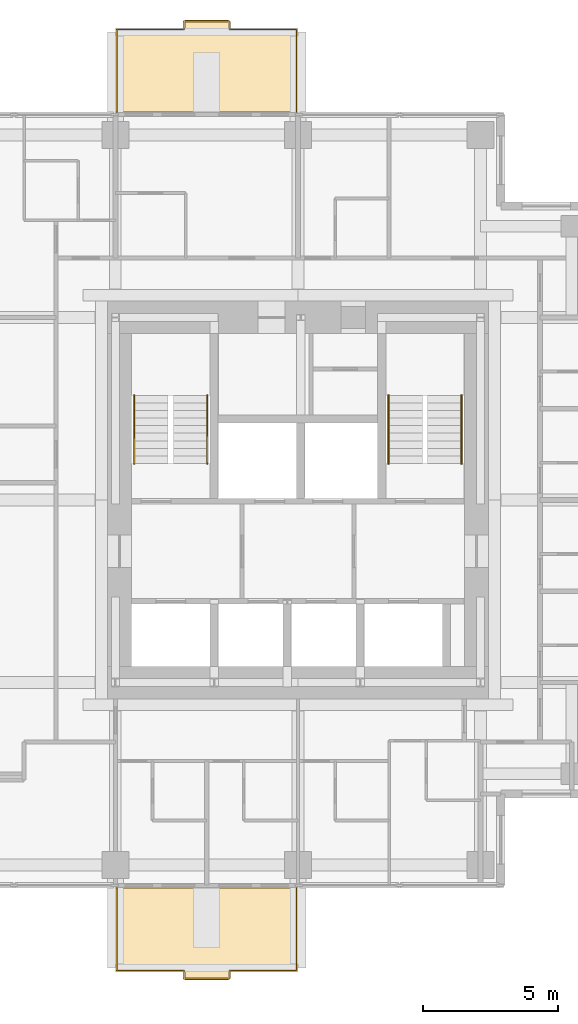
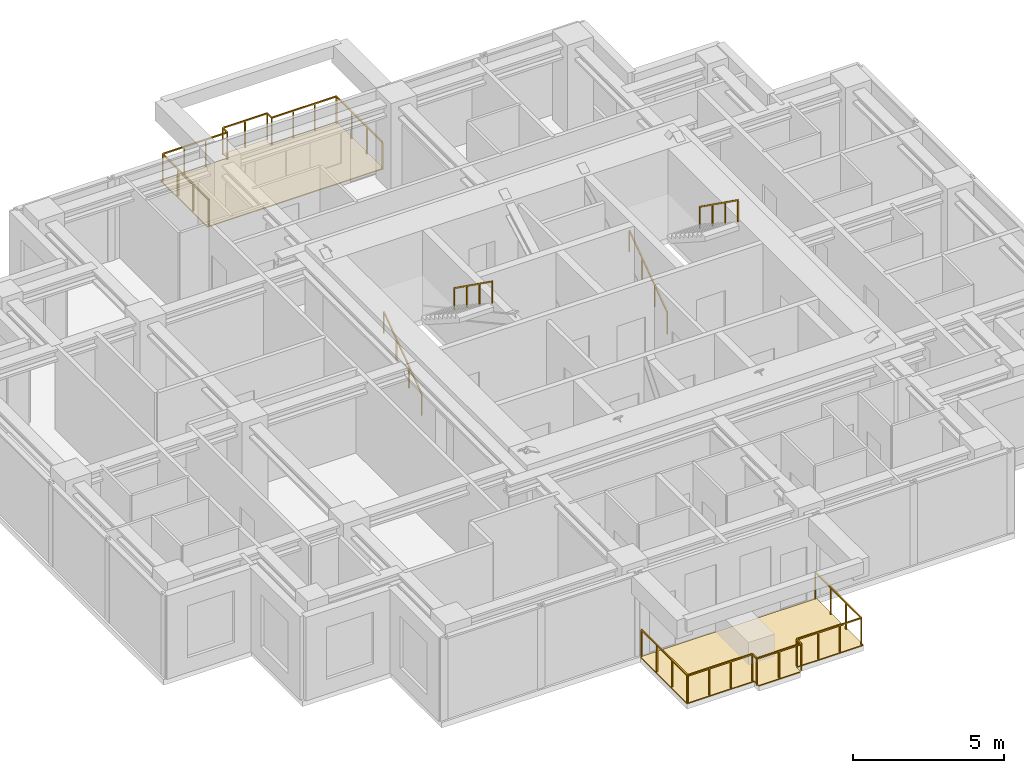
# One storey, part 8 of 8: 6 railings, 2 coverings.
"""IFC4 building model written with IfcOpenShell, lengths in metres."""

from ifc_helpers import new_model, si_unit, direction, frame, origin, origin_2d, place, context, subcontext, project, spatial, polyline, rectangle, outline, extrude, material, layer, layer_set, type_object, element, save


model = new_model("IFC4")

# Units and contexts
model_context = context("Model", 3, precision=1e-05, world=origin(), true_north=direction((0.0, 1.0)))
body_context = subcontext(model_context, "Body", "Model", "MODEL_VIEW")
ifc_project = project(units=[si_unit("LENGTHUNIT", "METRE"), si_unit("AREAUNIT", "SQUARE_METRE"), si_unit("VOLUMEUNIT", "CUBIC_METRE"), si_unit("PLANEANGLEUNIT", "RADIAN"), si_unit("MASSUNIT", "GRAM", prefix="KILO")], contexts=[model_context])

# Site, building, storey
site_placement = place(None, origin())
site = spatial("IfcSite", under=ifc_project, at=site_placement, CompositionType="ELEMENT")
building_placement = place(site_placement, origin())
building = spatial("IfcBuilding", under=site, at=building_placement, Name="Nyansa Garden Tower", CompositionType="ELEMENT")
storey_placement = place(building_placement, frame((0.0, 0.0, 247.5)))
storey = spatial("IfcBuildingStorey", under=building, at=storey_placement, Name="L67", CompositionType="ELEMENT", Elevation=247.5)

# Coverings
ifc_material_1 = material(Name="Hardwood decking on pedestals", Category="wood")
ifc_layer = layer(ifc_material_1, 0.0400390625)
ifc_layer_set = layer_set([ifc_layer], Name="Balcony decking DK40")
covering_type = type_object("IfcCoveringType", Name="Balcony decking DK40", PredefinedType="FLOORING", material=ifc_layer_set)
covering_1_placement = place(storey_placement, frame((0.0, 0.0, -0.0400390625)))
element("IfcCovering", 1, at=covering_1_placement, inside=storey, type_object=covering_type, Name="Balcony decking L67", PredefinedType="FLOORING", context=body_context, shape_type="SweptSolid", body=[
    extrude(outline(polyline([(13.5, 5.89990234375), (20.25, 5.89990234375), (20.25, 2.800048828125), (17.675048828125, 2.800048828125), (17.675048828125, 2.5), (16.074951171875, 2.5), (16.074951171875, 2.800048828125), (13.5, 2.800048828125), (13.5, 5.89990234375)])), origin(), (0.0, 0.0, 1.0), 0.0400390625),
])
covering_2_placement = place(storey_placement, frame((0.0, 0.0, -0.0400390625)))
element("IfcCovering", 2, at=covering_2_placement, inside=storey, type_object=covering_type, Name="Balcony decking L67", PredefinedType="FLOORING", context=body_context, shape_type="SweptSolid", body=[
    extrude(outline(polyline([(13.5, 34.60009765625), (20.25, 34.60009765625), (20.25, 37.699951171875), (17.675048828125, 37.699951171875), (17.675048828125, 38.0), (16.074951171875, 38.0), (16.074951171875, 37.699951171875), (13.5, 37.699951171875), (13.5, 34.60009765625)])), origin(), (0.0, 0.0, 1.0), 0.0400390625),
])

# Railings
ifc_material_2 = material(Name="Black powder-coated steel balusters, laminated glass infill", Category="steel")
railing_type_1 = type_object("IfcRailingType", Name="Balcony guard G1", PredefinedType="GUARDRAIL", material=ifc_material_2)
railing_1_placement = place(storey_placement, frame((13.550048828125, 5.89990234375, 0.0)))
element("IfcRailing", 3, at=railing_1_placement, inside=storey, type_object=railing_type_1, Name="Balcony guard L67", PredefinedType="GUARDRAIL", context=body_context, shape_type="SweptSolid", body=[
    extrude(rectangle(XDim=0.048095703125, YDim=0.048095703125, at=origin_2d()), frame((0.0, 0.0, 1.076171875), z_axis=(0.0, -1.0, 0.0), x_axis=(1.0, 0.0, 0.0)), (0.0, 0.0, 1.0), 3.0498046875),
    extrude(rectangle(XDim=0.048095703125, YDim=0.048095703125, at=origin_2d()), frame((0.0, -3.0498046875, 1.076171875), z_axis=(1.0, 0.0, 0.0), x_axis=(0.0, 1.0, 0.0)), (0.0, 0.0, 1.0), 2.474853515625),
    extrude(rectangle(XDim=0.048095703125, YDim=0.048095703125, at=origin_2d()), frame((2.474853515625, -3.0498046875, 1.076171875), z_axis=(0.0, -1.0, 0.0), x_axis=(1.0, 0.0, 0.0)), (0.0, 0.0, 1.0), 0.300048828125),
    extrude(rectangle(XDim=0.048095703125, YDim=0.048095703125, at=origin_2d()), frame((2.474853515625, -3.349853515625, 1.076171875), z_axis=(1.0, 0.0, 0.0), x_axis=(0.0, 1.0, 0.0)), (0.0, 0.0, 1.0), 1.7001953125),
    extrude(rectangle(XDim=0.048095703125, YDim=0.048095703125, at=origin_2d()), frame((4.175048828125, -3.349853515625, 1.076171875), z_axis=(0.0, 1.0, 0.0), x_axis=(-1.0, 0.0, 0.0)), (0.0, 0.0, 1.0), 0.300048828125),
    extrude(rectangle(XDim=0.048095703125, YDim=0.048095703125, at=origin_2d()), frame((4.175048828125, -3.0498046875, 1.076171875), z_axis=(1.0, 0.0, 0.0), x_axis=(0.0, 1.0, 0.0)), (0.0, 0.0, 1.0), 2.474853515625),
    extrude(rectangle(XDim=0.048095703125, YDim=0.048095703125, at=origin_2d()), frame((6.64990234375, -3.0498046875, 1.076171875), z_axis=(0.0, 1.0, 0.0), x_axis=(-1.0, 0.0, 0.0)), (0.0, 0.0, 1.0), 3.0498046875),
    extrude(rectangle(XDim=0.0419921875, YDim=0.0419921875, at=origin_2d()), origin(), (0.0, 0.0, 1.0), 1.052001953125),
    extrude(rectangle(XDim=0.0419921875, YDim=0.0419921875, at=origin_2d()), frame((0.0, -1.0166015625, 0.0)), (0.0, 0.0, 1.0), 1.052001953125),
    extrude(rectangle(XDim=0.0419921875, YDim=0.0419921875, at=origin_2d()), frame((0.0, -2.033203125, 0.0)), (0.0, 0.0, 1.0), 1.052001953125),
    extrude(rectangle(XDim=0.0419921875, YDim=0.0419921875, at=origin_2d()), frame((0.0, -3.0498046875, 0.0)), (0.0, 0.0, 1.0), 1.052001953125),
    extrude(rectangle(XDim=0.0419921875, YDim=0.0419921875, at=origin_2d()), frame((0.824951171875, -3.0498046875, 0.0)), (0.0, 0.0, 1.0), 1.052001953125),
    extrude(rectangle(XDim=0.0419921875, YDim=0.0419921875, at=origin_2d()), frame((1.64990234375, -3.0498046875, 0.0)), (0.0, 0.0, 1.0), 1.052001953125),
    extrude(rectangle(XDim=0.0419921875, YDim=0.0419921875, at=origin_2d()), frame((2.474853515625, -3.0498046875, 0.0)), (0.0, 0.0, 1.0), 1.052001953125),
    extrude(rectangle(XDim=0.0419921875, YDim=0.0419921875, at=origin_2d()), frame((2.474853515625, -3.349853515625, 0.0)), (0.0, 0.0, 1.0), 1.052001953125),
    extrude(rectangle(XDim=0.0419921875, YDim=0.0419921875, at=origin_2d()), frame((3.324951171875, -3.349853515625, 0.0)), (0.0, 0.0, 1.0), 1.052001953125),
    extrude(rectangle(XDim=0.0419921875, YDim=0.0419921875, at=origin_2d()), frame((4.175048828125, -3.349853515625, 0.0)), (0.0, 0.0, 1.0), 1.052001953125),
    extrude(rectangle(XDim=0.0419921875, YDim=0.0419921875, at=origin_2d()), frame((4.175048828125, -3.0498046875, 0.0)), (0.0, 0.0, 1.0), 1.052001953125),
    extrude(rectangle(XDim=0.0419921875, YDim=0.0419921875, at=origin_2d()), frame((5.0, -3.0498046875, 0.0)), (0.0, 0.0, 1.0), 1.052001953125),
    extrude(rectangle(XDim=0.0419921875, YDim=0.0419921875, at=origin_2d()), frame((5.824951171875, -3.0498046875, 0.0)), (0.0, 0.0, 1.0), 1.052001953125),
    extrude(rectangle(XDim=0.0419921875, YDim=0.0419921875, at=origin_2d()), frame((6.64990234375, -3.0498046875, 0.0)), (0.0, 0.0, 1.0), 1.052001953125),
    extrude(rectangle(XDim=0.0419921875, YDim=0.0419921875, at=origin_2d()), frame((6.64990234375, -2.033203125, 0.0)), (0.0, 0.0, 1.0), 1.052001953125),
    extrude(rectangle(XDim=0.0419921875, YDim=0.0419921875, at=origin_2d()), frame((6.64990234375, -1.0166015625, 0.0)), (0.0, 0.0, 1.0), 1.052001953125),
    extrude(rectangle(XDim=0.0419921875, YDim=0.0419921875, at=origin_2d()), frame((6.64990234375, 0.0, 0.0)), (0.0, 0.0, 1.0), 1.052001953125),
])
railing_2_placement = place(storey_placement, frame((13.550048828125, 34.60009765625, 0.0)))
element("IfcRailing", 4, at=railing_2_placement, inside=storey, type_object=railing_type_1, Name="Balcony guard L67", PredefinedType="GUARDRAIL", context=body_context, shape_type="SweptSolid", body=[
    extrude(rectangle(XDim=0.048095703125, YDim=0.048095703125, at=origin_2d()), frame((0.0, 0.0, 1.076171875), z_axis=(0.0, 1.0, 0.0), x_axis=(-1.0, 0.0, 0.0)), (0.0, 0.0, 1.0), 3.0498046875),
    extrude(rectangle(XDim=0.048095703125, YDim=0.048095703125, at=origin_2d()), frame((0.0, 3.0498046875, 1.076171875), z_axis=(1.0, 0.0, 0.0), x_axis=(0.0, 1.0, 0.0)), (0.0, 0.0, 1.0), 2.474853515625),
    extrude(rectangle(XDim=0.048095703125, YDim=0.048095703125, at=origin_2d()), frame((2.474853515625, 3.0498046875, 1.076171875), z_axis=(0.0, 1.0, 0.0), x_axis=(-1.0, 0.0, 0.0)), (0.0, 0.0, 1.0), 0.300048828125),
    extrude(rectangle(XDim=0.048095703125, YDim=0.048095703125, at=origin_2d()), frame((2.474853515625, 3.349853515625, 1.076171875), z_axis=(1.0, 0.0, 0.0), x_axis=(0.0, 1.0, 0.0)), (0.0, 0.0, 1.0), 1.7001953125),
    extrude(rectangle(XDim=0.048095703125, YDim=0.048095703125, at=origin_2d()), frame((4.175048828125, 3.349853515625, 1.076171875), z_axis=(0.0, -1.0, 0.0), x_axis=(1.0, 0.0, 0.0)), (0.0, 0.0, 1.0), 0.300048828125),
    extrude(rectangle(XDim=0.048095703125, YDim=0.048095703125, at=origin_2d()), frame((4.175048828125, 3.0498046875, 1.076171875), z_axis=(1.0, 0.0, 0.0), x_axis=(0.0, 1.0, 0.0)), (0.0, 0.0, 1.0), 2.474853515625),
    extrude(rectangle(XDim=0.048095703125, YDim=0.048095703125, at=origin_2d()), frame((6.64990234375, 3.0498046875, 1.076171875), z_axis=(0.0, -1.0, 0.0), x_axis=(1.0, 0.0, 0.0)), (0.0, 0.0, 1.0), 3.0498046875),
    extrude(rectangle(XDim=0.0419921875, YDim=0.0419921875, at=origin_2d()), origin(), (0.0, 0.0, 1.0), 1.052001953125),
    extrude(rectangle(XDim=0.0419921875, YDim=0.0419921875, at=origin_2d()), frame((0.0, 1.0166015625, 0.0)), (0.0, 0.0, 1.0), 1.052001953125),
    extrude(rectangle(XDim=0.0419921875, YDim=0.0419921875, at=origin_2d()), frame((0.0, 2.033203125, 0.0)), (0.0, 0.0, 1.0), 1.052001953125),
    extrude(rectangle(XDim=0.0419921875, YDim=0.0419921875, at=origin_2d()), frame((0.0, 3.0498046875, 0.0)), (0.0, 0.0, 1.0), 1.052001953125),
    extrude(rectangle(XDim=0.0419921875, YDim=0.0419921875, at=origin_2d()), frame((0.824951171875, 3.0498046875, 0.0)), (0.0, 0.0, 1.0), 1.052001953125),
    extrude(rectangle(XDim=0.0419921875, YDim=0.0419921875, at=origin_2d()), frame((1.64990234375, 3.0498046875, 0.0)), (0.0, 0.0, 1.0), 1.052001953125),
    extrude(rectangle(XDim=0.0419921875, YDim=0.0419921875, at=origin_2d()), frame((2.474853515625, 3.0498046875, 0.0)), (0.0, 0.0, 1.0), 1.052001953125),
    extrude(rectangle(XDim=0.0419921875, YDim=0.0419921875, at=origin_2d()), frame((2.474853515625, 3.349853515625, 0.0)), (0.0, 0.0, 1.0), 1.052001953125),
    extrude(rectangle(XDim=0.0419921875, YDim=0.0419921875, at=origin_2d()), frame((3.324951171875, 3.349853515625, 0.0)), (0.0, 0.0, 1.0), 1.052001953125),
    extrude(rectangle(XDim=0.0419921875, YDim=0.0419921875, at=origin_2d()), frame((4.175048828125, 3.349853515625, 0.0)), (0.0, 0.0, 1.0), 1.052001953125),
    extrude(rectangle(XDim=0.0419921875, YDim=0.0419921875, at=origin_2d()), frame((4.175048828125, 3.0498046875, 0.0)), (0.0, 0.0, 1.0), 1.052001953125),
    extrude(rectangle(XDim=0.0419921875, YDim=0.0419921875, at=origin_2d()), frame((5.0, 3.0498046875, 0.0)), (0.0, 0.0, 1.0), 1.052001953125),
    extrude(rectangle(XDim=0.0419921875, YDim=0.0419921875, at=origin_2d()), frame((5.824951171875, 3.0498046875, 0.0)), (0.0, 0.0, 1.0), 1.052001953125),
    extrude(rectangle(XDim=0.0419921875, YDim=0.0419921875, at=origin_2d()), frame((6.64990234375, 3.0498046875, 0.0)), (0.0, 0.0, 1.0), 1.052001953125),
    extrude(rectangle(XDim=0.0419921875, YDim=0.0419921875, at=origin_2d()), frame((6.64990234375, 2.033203125, 0.0)), (0.0, 0.0, 1.0), 1.052001953125),
    extrude(rectangle(XDim=0.0419921875, YDim=0.0419921875, at=origin_2d()), frame((6.64990234375, 1.0166015625, 0.0)), (0.0, 0.0, 1.0), 1.052001953125),
    extrude(rectangle(XDim=0.0419921875, YDim=0.0419921875, at=origin_2d()), frame((6.64990234375, 0.0, 0.0)), (0.0, 0.0, 1.0), 1.052001953125),
])
ifc_material_3 = material(Name="Black powder-coated steel tube 48 mm", Category="steel")
railing_type_2 = type_object("IfcRailingType", Name="Stair handrail HR1", PredefinedType="HANDRAIL", material=ifc_material_3)
railing_3_placement = place(storey_placement, frame((14.199951171875, 21.60009765625, 0.0)))
element("IfcRailing", 5, at=railing_3_placement, inside=storey, type_object=railing_type_2, Name="Stair S1 handrail L67", PredefinedType="HANDRAIL", context=body_context, shape_type="SweptSolid", body=[
    extrude(rectangle(XDim=0.048095703125, YDim=0.048095703125, at=origin_2d()), frame((0.0, 0.0, 0.8759765625), z_axis=(0.0, 0.813728144527, 0.581245650998), x_axis=(-1.0, 0.0, 0.0)), (0.0, 0.0, 1.0), 3.096923828125),
    extrude(rectangle(XDim=0.0419921875, YDim=0.0419921875, at=origin_2d()), origin(), (0.0, 0.0, 1.0), 0.851806640625),
    extrude(rectangle(XDim=0.0419921875, YDim=0.0419921875, at=origin_2d()), frame((0.0, 0.840087890625, 0.60009765625)), (0.0, 0.0, 1.0), 0.851806640625),
    extrude(rectangle(XDim=0.0419921875, YDim=0.0419921875, at=origin_2d()), frame((0.0, 1.679931640625, 1.199951171875)), (0.0, 0.0, 1.0), 0.851806640625),
    extrude(rectangle(XDim=0.0419921875, YDim=0.0419921875, at=origin_2d()), frame((0.0, 2.52001953125, 1.800048828125)), (0.0, 0.0, 1.0), 0.851806640625),
])
railing_4_placement = place(storey_placement, frame((16.89990234375, 24.1201171875, 1.800048828125)))
element("IfcRailing", 6, at=railing_4_placement, inside=storey, type_object=railing_type_2, Name="Stair S1 handrail L67", PredefinedType="HANDRAIL", context=body_context, shape_type="SweptSolid", body=[
    extrude(rectangle(XDim=0.048095703125, YDim=0.048095703125, at=origin_2d()), frame((0.0, 0.0, 0.8759765625), z_axis=(0.0, -0.813728144527, 0.581245650998), x_axis=(1.0, 0.0, 0.0)), (0.0, 0.0, 1.0), 3.096923828125),
    extrude(rectangle(XDim=0.0419921875, YDim=0.0419921875, at=origin_2d()), origin(), (0.0, 0.0, 1.0), 0.851806640625),
    extrude(rectangle(XDim=0.0419921875, YDim=0.0419921875, at=origin_2d()), frame((0.0, -0.840087890625, 0.60009765625)), (0.0, 0.0, 1.0), 0.851806640625),
    extrude(rectangle(XDim=0.0419921875, YDim=0.0419921875, at=origin_2d()), frame((0.0, -1.679931640625, 1.199951171875)), (0.0, 0.0, 1.0), 0.851806640625),
    extrude(rectangle(XDim=0.0419921875, YDim=0.0419921875, at=origin_2d()), frame((0.0, -2.52001953125, 1.800048828125)), (0.0, 0.0, 1.0), 0.851806640625),
])
railing_5_placement = place(storey_placement, frame((23.60009765625, 21.60009765625, 0.0)))
element("IfcRailing", 7, at=railing_5_placement, inside=storey, type_object=railing_type_2, Name="Stair S2 handrail L67", PredefinedType="HANDRAIL", context=body_context, shape_type="SweptSolid", body=[
    extrude(rectangle(XDim=0.048095703125, YDim=0.048095703125, at=origin_2d()), frame((0.0, 0.0, 0.8759765625), z_axis=(0.0, 0.813728144527, 0.581245650998), x_axis=(-1.0, 0.0, 0.0)), (0.0, 0.0, 1.0), 3.096923828125),
    extrude(rectangle(XDim=0.0419921875, YDim=0.0419921875, at=origin_2d()), origin(), (0.0, 0.0, 1.0), 0.851806640625),
    extrude(rectangle(XDim=0.0419921875, YDim=0.0419921875, at=origin_2d()), frame((0.0, 0.840087890625, 0.60009765625)), (0.0, 0.0, 1.0), 0.851806640625),
    extrude(rectangle(XDim=0.0419921875, YDim=0.0419921875, at=origin_2d()), frame((0.0, 1.679931640625, 1.199951171875)), (0.0, 0.0, 1.0), 0.851806640625),
    extrude(rectangle(XDim=0.0419921875, YDim=0.0419921875, at=origin_2d()), frame((0.0, 2.52001953125, 1.800048828125)), (0.0, 0.0, 1.0), 0.851806640625),
])
railing_6_placement = place(storey_placement, frame((26.300048828125, 24.1201171875, 1.800048828125)))
element("IfcRailing", 8, at=railing_6_placement, inside=storey, type_object=railing_type_2, Name="Stair S2 handrail L67", PredefinedType="HANDRAIL", context=body_context, shape_type="SweptSolid", body=[
    extrude(rectangle(XDim=0.048095703125, YDim=0.048095703125, at=origin_2d()), frame((0.0, 0.0, 0.8759765625), z_axis=(0.0, -0.813728144527, 0.581245650998), x_axis=(1.0, 0.0, 0.0)), (0.0, 0.0, 1.0), 3.096923828125),
    extrude(rectangle(XDim=0.0419921875, YDim=0.0419921875, at=origin_2d()), origin(), (0.0, 0.0, 1.0), 0.851806640625),
    extrude(rectangle(XDim=0.0419921875, YDim=0.0419921875, at=origin_2d()), frame((0.0, -0.840087890625, 0.60009765625)), (0.0, 0.0, 1.0), 0.851806640625),
    extrude(rectangle(XDim=0.0419921875, YDim=0.0419921875, at=origin_2d()), frame((0.0, -1.679931640625, 1.199951171875)), (0.0, 0.0, 1.0), 0.851806640625),
    extrude(rectangle(XDim=0.0419921875, YDim=0.0419921875, at=origin_2d()), frame((0.0, -2.52001953125, 1.800048828125)), (0.0, 0.0, 1.0), 0.851806640625),
])

save(model, "model.ifc")
